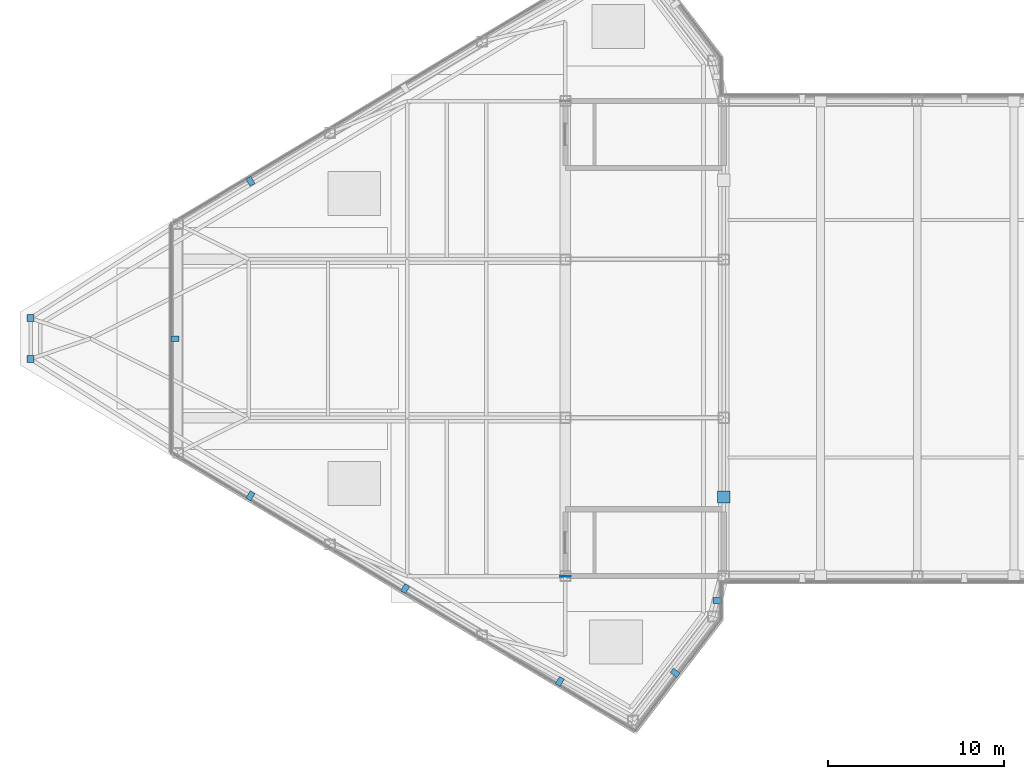
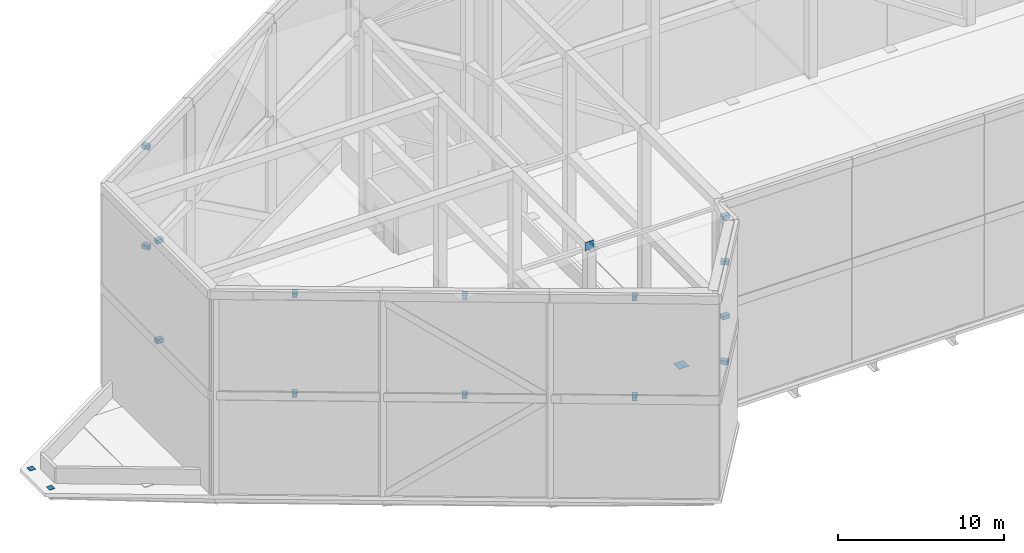
# One storey, part 10 of 16: 18 discrete accessories.
"""IFC4 building model written with IfcOpenShell, lengths in metres."""

import ifcopenshell
import ifcopenshell.guid

model = None  # the IFC model being written
_history = None  # IfcOwnerHistory: only IFC2X3 demands one
_inside = {}  # id of a spatial element -> (the spatial element, [elements in it])
_under = {}  # id of a project, library or spatial element -> (it, [spatial elements below it])
_declared = {}  # id of a project -> (the project, [libraries it declares])
_typed = {}  # id of a type object -> (the type object, [elements of that type])
_made_of = {}  # id of a material, layer set ... -> (it, [elements and type objects made of it])


def new_model(schema):
    """Start an empty IFC model of exactly this schema.

    Asked for "IFC4X3", IfcOpenShell would pick the latest addendum, in which some entities
    have other attributes; the version numbers below select the first issue.
    IFC2X3 requires an IfcOwnerHistory on every rooted entity: one is made here for all.
    """
    global model, _history
    if schema == "IFC4X3":
        model = ifcopenshell.file(schema_version=(4, 3, 0, 0))
    else:
        model = ifcopenshell.file(schema=schema)
    _inside.clear()
    _under.clear()
    _declared.clear()
    _typed.clear()
    _made_of.clear()
    _history = None
    if model.schema == "IFC2X3":
        org = make("IfcOrganization", Name="unknown")
        user = make(
            "IfcPersonAndOrganization",
            ThePerson=make("IfcPerson", FamilyName="unknown"),
            TheOrganization=org,
        )
        app = make(
            "IfcApplication",
            ApplicationDeveloper=org,
            Version="unknown",
            ApplicationFullName="unknown",
            ApplicationIdentifier="unknown",
        )
        _history = make(
            "IfcOwnerHistory",
            OwningUser=user,
            OwningApplication=app,
            ChangeAction="ADDED",
            CreationDate=0,
        )
    return model


def make(cls, **values):
    """One entity of the class cls with the attributes given. An attribute that is None is left unset."""
    return model.create_entity(
        cls, **{name: value for name, value in values.items() if value is not None}
    )


def rooted(cls, **values):
    """An entity with a GlobalId (a new one), such as an element, a storey or a relation."""
    return make(cls, GlobalId=ifcopenshell.guid.new(), OwnerHistory=_history, **values)


def si_unit(unit_type, name, prefix=None):
    """IfcSIUnit, for example si_unit("LENGTHUNIT", "METRE", prefix="MILLI")."""
    return make("IfcSIUnit", UnitType=unit_type, Prefix=prefix, Name=name)


def assignment(units):
    """IfcUnitAssignment: the units of a project."""
    return None if units is None else make("IfcUnitAssignment", Units=units)


def point(xyz):
    """IfcCartesianPoint."""
    return None if xyz is None else make("IfcCartesianPoint", Coordinates=xyz)


def direction(xyz):
    """IfcDirection."""
    return None if xyz is None else make("IfcDirection", DirectionRatios=xyz)


def frame(location, z_axis=None, x_axis=None):
    """IfcAxis2Placement3D, a coordinate frame: its origin and axes. An axis left out is left unset."""
    return make(
        "IfcAxis2Placement3D",
        Location=point(location),
        Axis=direction(z_axis),
        RefDirection=direction(x_axis),
    )


def frame_2d(location, x_axis=None):
    """IfcAxis2Placement2D, a coordinate frame in the plane: its origin and x axis."""
    return make(
        "IfcAxis2Placement2D", Location=point(location), RefDirection=direction(x_axis)
    )


def origin():
    """The frame at (0, 0, 0) with its axes left unset."""
    return frame((0.0, 0.0, 0.0))


def origin_2d():
    """The frame at (0, 0) in the plane with its x axis left unset."""
    return frame_2d((0.0, 0.0))


def place(relative_to, where):
    """IfcLocalPlacement: puts the frame where relative to a parent placement (None: the world)."""
    return make(
        "IfcLocalPlacement", PlacementRelTo=relative_to, RelativePlacement=where
    )


def context(
    kind, dimensions, precision=None, world=None, true_north=None, identifier=None
):
    """IfcGeometricRepresentationContext, for example the 3D "Model" context."""
    return make(
        "IfcGeometricRepresentationContext",
        ContextIdentifier=identifier,
        ContextType=kind,
        CoordinateSpaceDimension=dimensions,
        Precision=precision,
        WorldCoordinateSystem=world,
        TrueNorth=true_north,
    )


def subcontext(parent, identifier, kind, view, scale=None):
    """IfcGeometricRepresentationSubContext, for example "Body" below "Model"."""
    return make(
        "IfcGeometricRepresentationSubContext",
        ContextIdentifier=identifier,
        ContextType=kind,
        ParentContext=parent,
        TargetScale=scale,
        TargetView=view,
    )


def project(units=None, contexts=None):
    """IfcProject with its units and contexts."""
    return rooted(
        "IfcProject",
        Name="project",
        RepresentationContexts=contexts,
        UnitsInContext=assignment(units),
    )


def spatial(cls, under=None, at=None, **own):
    """A site, building, storey or space (cls), placed at a placement, below another one or the project."""
    s = rooted(cls, ObjectPlacement=at, **own)
    if under is not None:
        _under.setdefault(under.id(), (under, []))[1].append(s)
    return s


def profile(cls, at=None, kind="AREA", **sizes):
    """A parametric profile (cls). Its sizes go by their IFC names, for example OverallWidth=200.0."""
    return make(cls, ProfileType=kind, Position=at, **sizes)


def rectangle(**sizes):
    """IfcRectangleProfileDef."""
    return profile("IfcRectangleProfileDef", **sizes)


def extrude(swept, where, along, depth):
    """IfcExtrudedAreaSolid: the profile swept, set in the frame where, extruded along a direction by depth."""
    return make(
        "IfcExtrudedAreaSolid",
        SweptArea=swept,
        Position=where,
        ExtrudedDirection=direction(along),
        Depth=depth,
    )


def shape(context_of_items, identifier, shape_type, items):
    """IfcShapeRepresentation: the items that make up one representation, for example the "Body"."""
    return make(
        "IfcShapeRepresentation",
        ContextOfItems=context_of_items,
        RepresentationIdentifier=identifier,
        RepresentationType=shape_type,
        Items=items,
    )


def source(mapping_origin, context_of_items, identifier, shape_type, items):
    """IfcRepresentationMap: a shape defined once, which mapped items show again and again."""
    return make(
        "IfcRepresentationMap",
        MappingOrigin=mapping_origin,
        MappedRepresentation=shape(context_of_items, identifier, shape_type, items),
    )


def transform(
    local_origin,
    x_axis=None,
    y_axis=None,
    z_axis=None,
    scale=None,
    scale2=None,
    scale3=None,
    uniform=True,
):
    """IfcCartesianTransformationOperator3D, or its non-uniform kind. x_axis, y_axis, z_axis: its Axis1, 2, 3."""
    if uniform:
        return make(
            "IfcCartesianTransformationOperator3D",
            Axis1=direction(x_axis),
            Axis2=direction(y_axis),
            LocalOrigin=point(local_origin),
            Scale=scale,
            Axis3=direction(z_axis),
        )
    return make(
        "IfcCartesianTransformationOperator3DnonUniform",
        Axis1=direction(x_axis),
        Axis2=direction(y_axis),
        LocalOrigin=point(local_origin),
        Scale=scale,
        Axis3=direction(z_axis),
        Scale2=scale2,
        Scale3=scale3,
    )


def mapped(mapping_source, mapping_target):
    """IfcMappedItem: shows the shape of a source again, moved by a transform."""
    return make(
        "IfcMappedItem", MappingSource=mapping_source, MappingTarget=mapping_target
    )


def material(Name=None, Category=None):
    """IfcMaterial."""
    return make("IfcMaterial", Name=Name, Category=Category)


def made_of(thing, what):
    """Note that an element or type object is made of a material, layer set ...; save() writes the relation."""
    if what is not None:
        _made_of.setdefault(what.id(), (what, []))[1].append(thing)
    return thing


def type_object(cls, material=None, **own):
    """A type object (cls), such as IfcWallType, which elements share."""
    return made_of(rooted(cls, **own), material)


def type_shapes(of_type, sources):
    """Give a type object the sources (RepresentationMaps) that its elements show as mapped items."""
    of_type.RepresentationMaps = sources


def element(
    cls,
    number,
    at=None,
    inside=None,
    cuts=None,
    type_object=None,
    material=None,
    context=None,
    identifier="Body",
    shape_type=None,
    held_by="IfcProductDefinitionShape",
    body=None,
    shapes=None,
    **own,
):
    """One element of the class cls, such as IfcWall. Its Tag is "e" and its number.

    at: its placement. inside: the storey or other place that contains it. cuts: it is an
    opening in that element (IfcRelVoidsElement). A single representation is given by context,
    identifier, shape_type and body (its items); several are given by shapes. held_by: the class
    of the entity that holds the representations. save() writes the other relations.
    """
    e = rooted(cls, Tag="e%d" % number, ObjectPlacement=at, **own)
    if body is not None:
        shapes = [shape(context, identifier, shape_type, body)]
    if shapes is not None:
        e.Representation = make(held_by, Representations=shapes)
    if inside is not None:
        _inside.setdefault(inside.id(), (inside, []))[1].append(e)
    if cuts is not None:
        rooted(
            "IfcRelVoidsElement", RelatingBuildingElement=cuts, RelatedOpeningElement=e
        )
    if type_object is not None:
        _typed.setdefault(type_object.id(), (type_object, []))[1].append(e)
    return made_of(e, material)


def aggregate(whole, parts):
    """IfcRelAggregates: a whole, such as a stair, and the parts it consists of."""
    return rooted("IfcRelAggregates", RelatingObject=whole, RelatedObjects=parts)


def save(model, path):
    """Write the relations noted so far, then the file.

    IfcRelAggregates (storeys below a building ...), IfcRelContainedInSpatialStructure (elements
    in a storey), IfcRelDefinesByType, IfcRelAssociatesMaterial and IfcRelDeclares: one each for
    every whole, place, type object, material and project.
    """
    for whole, parts in _under.values():
        aggregate(whole, parts)
    for where, things in _inside.values():
        rooted(
            "IfcRelContainedInSpatialStructure",
            RelatedElements=things,
            RelatingStructure=where,
        )
    for kind, things in _typed.values():
        rooted("IfcRelDefinesByType", RelatedObjects=things, RelatingType=kind)
    for what, things in _made_of.values():
        rooted("IfcRelAssociatesMaterial", RelatedObjects=things, RelatingMaterial=what)
    for by, libraries in _declared.values():
        rooted("IfcRelDeclares", RelatingContext=by, RelatedDefinitions=libraries)
    model.write(path)


model = new_model("IFC4")

# Units and contexts
model_context = context("Model", 3, precision=1e-05, world=origin(), true_north=direction((0.0, 1.0)))
body_context = subcontext(model_context, "Body", "Model", "MODEL_VIEW")
ifc_project = project(units=[si_unit("LENGTHUNIT", "METRE"), si_unit("AREAUNIT", "SQUARE_METRE"), si_unit("VOLUMEUNIT", "CUBIC_METRE"), si_unit("PLANEANGLEUNIT", "RADIAN"), si_unit("MASSUNIT", "GRAM", prefix="KILO")], contexts=[model_context])

# Site, building, storey
site_placement = place(None, origin())
site = spatial("IfcSite", under=ifc_project, at=site_placement, CompositionType="ELEMENT")
building_placement = place(site_placement, origin())
building = spatial("IfcBuilding", under=site, at=building_placement, Name="Seokmaru Belvedere", CompositionType="ELEMENT")
storey_placement = place(building_placement, frame((0.0, 0.0, 279.0)))
storey = spatial("IfcBuildingStorey", under=building, at=storey_placement, Name="RF", CompositionType="ELEMENT", Elevation=279.0)

# Discrete accessories
ifc_material_1 = material(Name="Stainless Steel 316", Category="steel")
discrete_accessory_type_1 = type_object("IfcDiscreteAccessoryType", Name="Stainless Steel Facade Mounting Bracket", PredefinedType="BRACKET", material=ifc_material_1)
shared_shape_1 = source(origin(), body_context, "Body", "SweptSolid", [
    extrude(rectangle(XDim=0.320068359375, YDim=0.47998046875, at=origin_2d()), origin(), (0.0, 0.0, 1.0), 0.300048828125),
])
type_shapes(discrete_accessory_type_1, [shared_shape_1])
for number, where, z_axis, x_axis, name in (
    (1, (-54.40087890625, 8.939697265625, 7.14990234375), (0.0, 0.0, 1.0), (-0.857492535386, -0.514496405972, 0.0), "RF Crown Screen Tie Bracket 28-1"),
    (2, (-54.40087890625, 8.939697265625, 14.5), (0.0, 0.0, 1.0), (-0.857492535386, -0.514496405972, 0.0), "RF Crown Screen Tie Bracket 28-2"),
    (3, (-58.68994140625, 0.0, 7.14990234375), (0.0, 0.0, 1.0), (0.0, -1.0, 0.0), "RF Crown Screen Tie Bracket 29-1"),
    (4, (-58.68994140625, 0.0, 14.5), (0.0, 0.0, 1.0), (0.0, -1.0, 0.0), "RF Crown Screen Tie Bracket 29-2"),
    (5, (-54.40087890625, -8.939697265625, 7.14990234375), (0.0, 0.0, 1.0), (0.857492535386, -0.514496405972, 0.0), "RF Crown Screen Tie Bracket 30-1"),
    (6, (-54.40087890625, -8.939697265625, 14.5), (0.0, 0.0, 1.0), (0.857492535386, -0.514496405972, 0.0), "RF Crown Screen Tie Bracket 30-2"),
    (7, (-45.609130859375, -14.214599609375, 7.14990234375), (0.0, 0.0, 1.0), (0.857492535386, -0.514496405972, 0.0), "RF Crown Screen Tie Bracket 31-1"),
    (8, (-45.609130859375, -14.214599609375, 14.5), (0.0, 0.0, 1.0), (0.857492535386, -0.514496405972, 0.0), "RF Crown Screen Tie Bracket 31-2"),
    (9, (-36.817626953125, -19.48974609375, 7.14990234375), (0.0, 0.0, 1.0), (0.857492535386, -0.514496405972, 0.0), "RF Crown Screen Tie Bracket 32-1"),
    (10, (-36.817626953125, -19.48974609375, 14.5), (0.0, 0.0, 1.0), (0.857492535386, -0.514496405972, 0.0), "RF Crown Screen Tie Bracket 32-2"),
    (11, (-30.261962890625, -19.0, 7.14990234375), (0.0, 0.0, 1.0), (0.609709487731, 0.792624968425, 0.0), "RF Crown Screen Tie Bracket 33-1"),
    (12, (-30.261962890625, -19.0, 14.5), (0.0, 0.0, 1.0), (0.609709487731, 0.792624968425, 0.0), "RF Crown Screen Tie Bracket 33-2"),
    (13, (-27.860107421875, -14.88623046875, 7.14990234375), (0.0, 0.0, 1.0), (0.0, 1.0, 0.0), "RF Crown Screen Tie Bracket 34-1"),
    (14, (-27.860107421875, -14.88623046875, 14.5), (0.0, 0.0, 1.0), (0.0, 1.0, 0.0), "RF Crown Screen Tie Bracket 34-2"),
):
    element("IfcDiscreteAccessory", number, at=place(storey_placement, frame(where, z_axis=z_axis, x_axis=x_axis)), inside=storey, type_object=discrete_accessory_type_1, Name=name, PredefinedType="BRACKET", context=body_context, shape_type="MappedRepresentation", body=[
        mapped(shared_shape_1, transform((0.0, 0.0, 0.0), scale=1.0)),
    ])
ifc_material_2 = material(Name="Steel SM355 (355 MPa)", Category="steel")
discrete_accessory_type_2 = type_object("IfcDiscreteAccessoryType", Name="End Cap Plate BOX-700x700x30", PredefinedType="USERDEFINED", material=ifc_material_2)
shared_shape_2 = source(origin(), body_context, "Body", "SweptSolid", [
    extrude(rectangle(XDim=0.699951171875, YDim=0.699951171875, at=origin_2d()), origin(), (0.0, 0.0, 1.0), 0.030029296875),
])
type_shapes(discrete_accessory_type_2, [shared_shape_2])
discrete_accessory_1_placement = place(storey_placement, frame((-27.5, -9.0, 0.0), z_axis=(0.0, 0.0, 1.0), x_axis=(1.0, 0.0, 0.0)))
element("IfcDiscreteAccessory", 15, at=discrete_accessory_1_placement, inside=storey, type_object=discrete_accessory_type_2, Name="L72 Column WS2 End Cap Plate Top", ObjectType="END_CAP_PLATE", PredefinedType="USERDEFINED", context=body_context, shape_type="MappedRepresentation", body=[
    mapped(shared_shape_2, transform((0.0, 0.0, 0.0), scale=1.0)),
])
discrete_accessory_type_3 = type_object("IfcDiscreteAccessoryType", Name="End Cap Plate HSS-400x400x16", PredefinedType="USERDEFINED", material=ifc_material_2)
shared_shape_3 = source(origin(), body_context, "Body", "SweptSolid", [
    extrude(rectangle(XDim=0.39990234375, YDim=0.39990234375, at=origin_2d()), origin(), (0.0, 0.0, 1.0), 0.01611328125),
])
type_shapes(discrete_accessory_type_3, [shared_shape_3])
for number, where, z_axis, x_axis, name in (
    (16, (-66.89990234375, 1.160400390625, 0.0), (0.0, 0.0, 1.0), (1.0, 0.0, 0.0), "L72 Column WF4 End Cap Plate Top"),
    (17, (-66.89990234375, -1.160400390625, 0.0), (0.0, 0.0, 1.0), (1.0, 0.0, 0.0), "L72 Column WF5 End Cap Plate Top"),
):
    element("IfcDiscreteAccessory", number, at=place(storey_placement, frame(where, z_axis=z_axis, x_axis=x_axis)), inside=storey, type_object=discrete_accessory_type_3, Name=name, ObjectType="END_CAP_PLATE", PredefinedType="USERDEFINED", context=body_context, shape_type="MappedRepresentation", body=[
        mapped(shared_shape_3, transform((0.0, 0.0, 0.0), scale=1.0)),
    ])
discrete_accessory_type_4 = type_object("IfcDiscreteAccessoryType", Name="End Cap Plate HSS-600x600x25", PredefinedType="USERDEFINED", material=ifc_material_2)
shared_shape_4 = source(origin(), body_context, "Body", "SweptSolid", [
    extrude(rectangle(XDim=0.02490234375, YDim=0.60009765625, at=origin_2d()), origin(), (0.0, 0.0, 1.0), 0.60009765625),
])
type_shapes(discrete_accessory_type_4, [shared_shape_4])
discrete_accessory_2_placement = place(storey_placement, frame((-36.5, -13.512451171875, 14.39990234375), z_axis=(0.0, 0.0, 1.0), x_axis=(0.0, -1.0, 0.0)))
element("IfcDiscreteAccessory", 18, at=discrete_accessory_2_placement, inside=storey, type_object=discrete_accessory_type_4, Name="RF Crown Cross Tie CROWN FRAME T2-W2-1 End Cap Plate Start", ObjectType="END_CAP_PLATE", PredefinedType="USERDEFINED", context=body_context, shape_type="MappedRepresentation", body=[
    mapped(shared_shape_4, transform((0.0, 0.0, 0.0), scale=1.0)),
])

save(model, "model.ifc")
